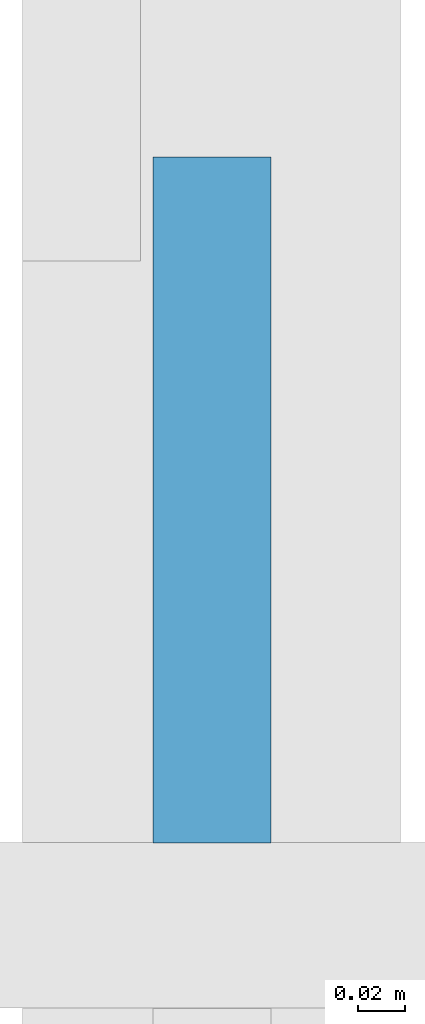
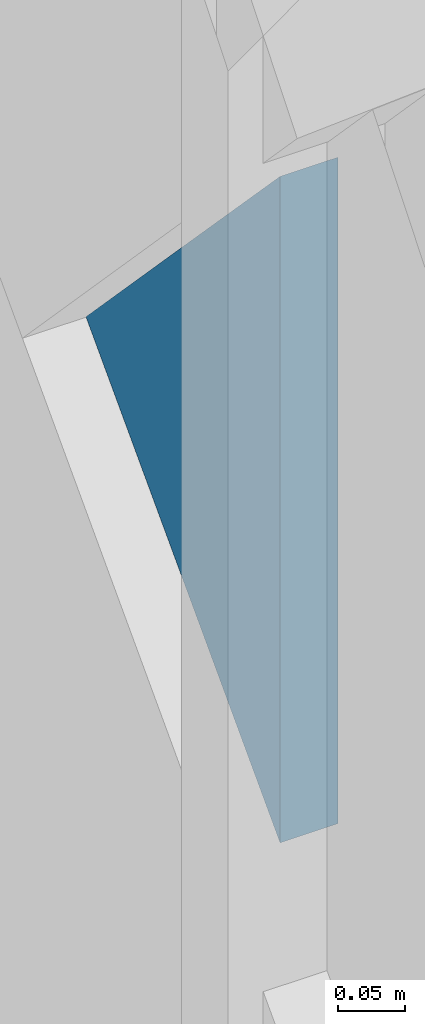
# One storey, part 12 of 19: 1 plate, 1 element without a shape of its own.
"""IFC4 building model written with IfcOpenShell, lengths in metres."""

from ifc_helpers import new_model, si_unit, direction, frame, origin, place, context, subcontext, project, spatial, polyline, outline, extrude, material, layer, layer_set, type_object, element, aggregate, save


model = new_model("IFC4")

# Units and contexts
model_context = context("Model", 3, precision=1e-05, world=origin(), true_north=direction((0.0, 1.0)))
body_context = subcontext(model_context, "Body", "Model", "MODEL_VIEW")
ifc_project = project(units=[si_unit("LENGTHUNIT", "METRE"), si_unit("AREAUNIT", "SQUARE_METRE"), si_unit("VOLUMEUNIT", "CUBIC_METRE"), si_unit("PLANEANGLEUNIT", "RADIAN"), si_unit("MASSUNIT", "GRAM", prefix="KILO")], contexts=[model_context])

# Site, building, storey
site_placement = place(None, origin())
site = spatial("IfcSite", under=ifc_project, at=site_placement, CompositionType="ELEMENT")
building_placement = place(site_placement, origin())
building = spatial("IfcBuilding", under=site, at=building_placement, Name="Rheinbord Bourse Tower", CompositionType="ELEMENT")
storey_placement = place(building_placement, frame((0.0, 0.0, 167.699951171875)))
storey = spatial("IfcBuildingStorey", under=building, at=storey_placement, Name="L37", CompositionType="ELEMENT", Elevation=167.699951171875)

# Curtain wall, plate
ifc_material_1 = material(Name="Dark glass and black aluminium", Category="aluminium")
curtain_wall_type = type_object("IfcCurtainWallType", Name="CW2 DARK GLASS CURTAIN WALL", PredefinedType="USERDEFINED", material=ifc_material_1)
curtain_wall_placement = place(storey_placement, origin())
curtain_wall = element("IfcCurtainWall", 1, at=curtain_wall_placement, inside=storey, type_object=curtain_wall_type, Name="Curtain wall CW2 W L37", ObjectType="UNITISED CURTAIN WALL", PredefinedType="USERDEFINED")
ifc_material_2 = material(Name="Dark tinted triple insulating glass", Category="glass")
ifc_layer = layer(ifc_material_2, 0.050048828125)
ifc_layer_set = layer_set([ifc_layer], Name="CW2 DARK GLASS PANEL")
plate_type = type_object("IfcPlateType", Name="CW2 DARK GLASS PANEL", PredefinedType="CURTAIN_PANEL", material=ifc_layer_set)
plate_placement = place(storey_placement, frame((-0.625, 12.875, 1.796142578125), z_axis=(1.0, 0.0, 0.0), x_axis=(0.0, 0.690351348843, 0.723474267096)))
plate = element("IfcPlate", 2, at=plate_placement, type_object=plate_type, Name="CW2 glass facet 4", PredefinedType="CURTAIN_PANEL", context=body_context, shape_type="SweptSolid", body=[
    extrude(outline(polyline([(0.0, 0.0), (0.420166015625, 0.0), (0.439697265625, 0.419677734375), (0.0, 0.0)])), origin(), (0.0, 0.0, 1.0), 0.050048828125),
])
aggregate(curtain_wall, [plate])

save(model, "model.ifc")
